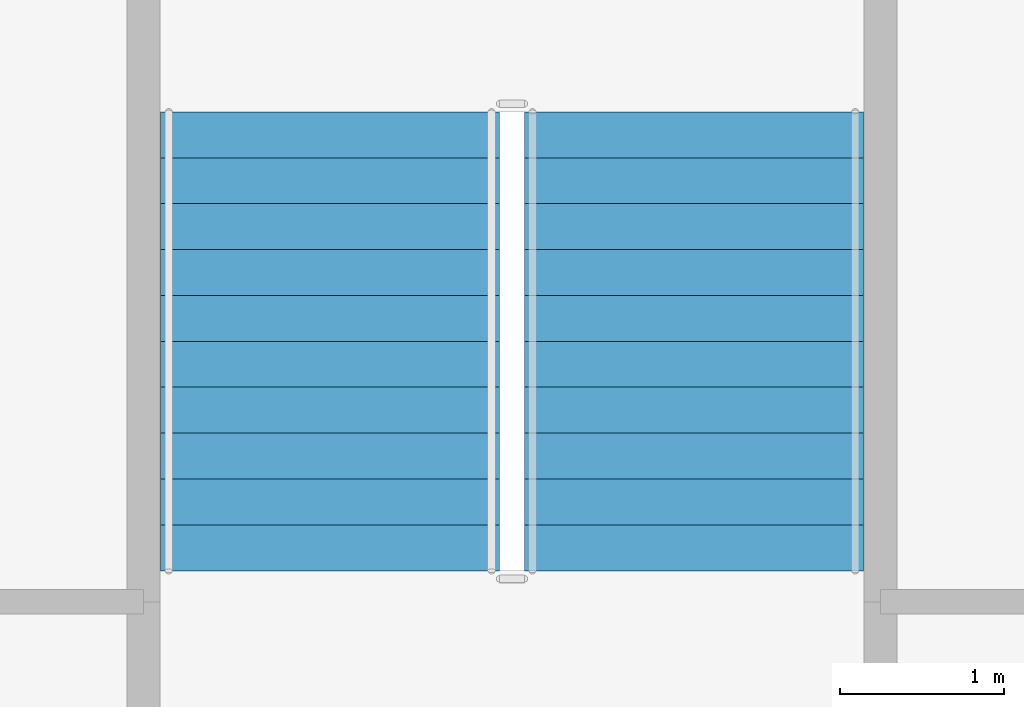
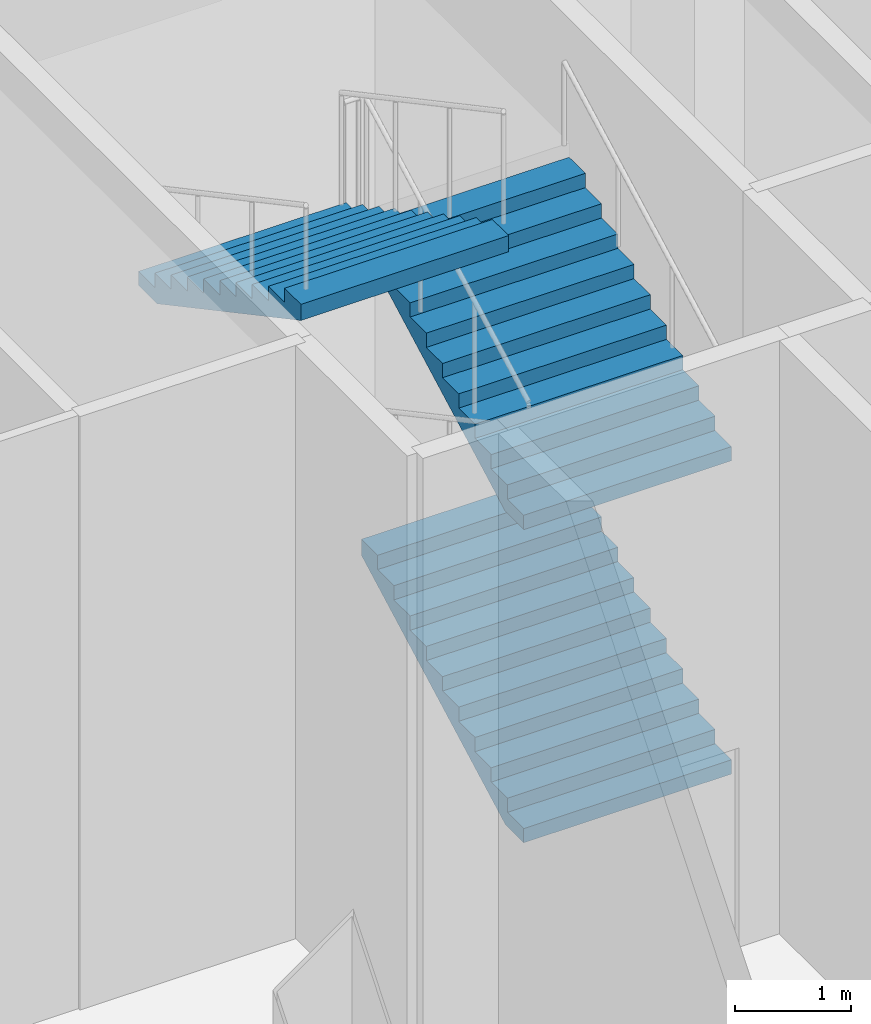
# One storey, part 25 of 38: 3 stair flights, 1 element without a shape of its own.
"""IFC4 building model written with IfcOpenShell, lengths in metres."""

from ifc_helpers import new_model, si_unit, direction, frame, origin, place, context, subcontext, project, spatial, polygons, material, type_object, element, aggregate, save


model = new_model("IFC4")

# Units and contexts
model_context = context("Model", 3, precision=1e-05, world=origin(), true_north=direction((0.0, 1.0)))
body_context = subcontext(model_context, "Body", "Model", "MODEL_VIEW")
ifc_project = project(units=[si_unit("LENGTHUNIT", "METRE"), si_unit("AREAUNIT", "SQUARE_METRE"), si_unit("VOLUMEUNIT", "CUBIC_METRE"), si_unit("PLANEANGLEUNIT", "RADIAN"), si_unit("MASSUNIT", "GRAM", prefix="KILO")], contexts=[model_context])

# Site, building, storey
site_placement = place(None, origin())
site = spatial("IfcSite", under=ifc_project, at=site_placement, CompositionType="ELEMENT")
building_placement = place(site_placement, origin())
building = spatial("IfcBuilding", under=site, at=building_placement, Name="Caravel Reach Hotel and Residences", CompositionType="ELEMENT")
storey_placement = place(building_placement, origin())
storey = spatial("IfcBuildingStorey", under=building, at=storey_placement, Name="L00", CompositionType="ELEMENT", Elevation=0.0)

# Stair, stair flights
ifc_material_1 = material(Name="Concrete C40", Category="concrete")
stair_type = type_object("IfcStairType", Name="Core stair", PredefinedType="HALF_TURN_STAIR", material=ifc_material_1)
stair_placement = place(storey_placement, origin())
stair = element("IfcStair", 1, at=stair_placement, inside=storey, type_object=stair_type, Name="L00 Exit stair P4", PredefinedType="HALF_TURN_STAIR")
ifc_material_2 = material(Name="Concrete C40", Category="concrete")
stair_flight_type = type_object("IfcStairFlightType", Name="Core stair flight", PredefinedType="STRAIGHT", material=ifc_material_2)
stair_flight_1_placement = place(storey_placement, frame((55.110107421875, 13.68994140625, 0.0), z_axis=(0.0, 0.0, 1.0), x_axis=(0.0, 1.0, 0.0)))
stair_flight_1 = element("IfcStairFlight", 2, at=stair_flight_1_placement, type_object=stair_flight_type, Name="ST-P4 flight 1", NumberOfRisers=11, NumberOfTreads=10, PredefinedType="STRAIGHT", RiserHeight=0.15, TreadLength=0.28, context=body_context, shape_type="Tessellation", body=[
    polygons([(0.3174408016601862, 1.0350341796875, 0.0), (0.3174408016601862, 0.6900227864583333, 0.0), (0.3174408016601862, 0.34501139322916663, 0.0), (0.3174408016601862, 0.0, 0.0), (0.3174408016601862, -0.34501139322916674, 0.0), (0.3174408016601862, -0.6900227864583333, 0.0), (0.3174408016601862, -1.0350341796875, 0.0), (2.801, 1.0350341796875, 1.329942427682043), (2.801, 0.6900227864583333, 1.329942427682043), (2.801, 0.34501139322916663, 1.329942427682043), (2.801, 0.0, 1.329942427682043), (2.801, -0.34501139322916674, 1.329942427682043), (2.801, -0.6900227864583333, 1.329942427682043), (2.801, -1.0350341796875, 1.329942427682043), (2.801, 1.0350341796875, 1.5), (2.801, 0.6900227864583333, 1.5), (2.801, 0.34501139322916663, 1.5), (2.801, 0.0, 1.5), (2.801, -0.34501139322916674, 1.5), (2.801, -0.6900227864583333, 1.5), (2.801, -1.0350341796875, 1.5), (2.5200000000000005, 1.0350341796875, 1.5), (2.5200000000000005, 0.6900227864583333, 1.5), (2.5200000000000005, 0.34501139322916663, 1.5), (2.5200000000000005, 0.0, 1.5), (2.5200000000000005, -0.34501139322916674, 1.5), (2.5200000000000005, -0.6900227864583333, 1.5), (2.5200000000000005, -1.0350341796875, 1.5), (2.5200000000000005, 1.0350341796875, 1.3499999999999999), (2.5200000000000005, 0.6900227864583333, 1.3499999999999999), (2.5200000000000005, 0.34501139322916663, 1.3499999999999999), (2.5200000000000005, 0.0, 1.3499999999999999), (2.5200000000000005, -0.34501139322916674, 1.3499999999999999), (2.5200000000000005, -0.6900227864583333, 1.3499999999999999), (2.5200000000000005, -1.0350341796875, 1.3499999999999999), (2.24, 1.0350341796875, 1.3499999999999999), (2.24, 0.6900227864583333, 1.3499999999999999), (2.24, 0.34501139322916663, 1.3499999999999999), (2.24, 0.0, 1.3499999999999999), (2.24, -0.34501139322916674, 1.3499999999999999), (2.24, -0.6900227864583333, 1.3499999999999999), (2.24, -1.0350341796875, 1.3499999999999999), (2.24, 1.0350341796875, 1.2), (2.24, 0.6900227864583333, 1.2), (2.24, 0.34501139322916663, 1.2), (2.24, 0.0, 1.2), (2.24, -0.34501139322916674, 1.2), (2.24, -0.6900227864583333, 1.2), (2.24, -1.0350341796875, 1.2), (1.9600000000000002, 1.0350341796875, 1.2), (1.9600000000000002, 0.6900227864583333, 1.2), (1.9600000000000002, 0.34501139322916663, 1.2), (1.9600000000000002, 0.0, 1.2), (1.9600000000000002, -0.34501139322916674, 1.2), (1.9600000000000002, -0.6900227864583333, 1.2), (1.9600000000000002, -1.0350341796875, 1.2), (1.9600000000000002, 1.0350341796875, 1.05), (1.9600000000000002, 0.6900227864583333, 1.05), (1.9600000000000002, 0.34501139322916663, 1.05), (1.9600000000000002, 0.0, 1.05), (1.9600000000000002, -0.34501139322916674, 1.05), (1.9600000000000002, -0.6900227864583333, 1.05), (1.9600000000000002, -1.0350341796875, 1.05), (1.6800000000000002, 1.0350341796875, 1.05), (1.6800000000000002, 0.6900227864583333, 1.05), (1.6800000000000002, 0.34501139322916663, 1.05), (1.6800000000000002, 0.0, 1.05), (1.6800000000000002, -0.34501139322916674, 1.05), (1.6800000000000002, -0.6900227864583333, 1.05), (1.6800000000000002, -1.0350341796875, 1.05), (1.6800000000000002, 1.0350341796875, 0.8999999999999999), (1.6800000000000002, 0.6900227864583333, 0.8999999999999999), (1.6800000000000002, 0.34501139322916663, 0.8999999999999999), (1.6800000000000002, 0.0, 0.8999999999999999), (1.6800000000000002, -0.34501139322916674, 0.8999999999999999), (1.6800000000000002, -0.6900227864583333, 0.8999999999999999), (1.6800000000000002, -1.0350341796875, 0.8999999999999999), (1.4000000000000001, 1.0350341796875, 0.8999999999999999), (1.4000000000000001, 0.6900227864583333, 0.8999999999999999), (1.4000000000000001, 0.34501139322916663, 0.8999999999999999), (1.4000000000000001, 0.0, 0.8999999999999999), (1.4000000000000001, -0.34501139322916674, 0.8999999999999999), (1.4000000000000001, -0.6900227864583333, 0.8999999999999999), (1.4000000000000001, -1.0350341796875, 0.8999999999999999), (1.4000000000000001, 1.0350341796875, 0.75), (1.4000000000000001, 0.6900227864583333, 0.75), (1.4000000000000001, 0.34501139322916663, 0.75), (1.4000000000000001, 0.0, 0.75), (1.4000000000000001, -0.34501139322916674, 0.75), (1.4000000000000001, -0.6900227864583333, 0.75), (1.4000000000000001, -1.0350341796875, 0.75), (1.12, 1.0350341796875, 0.75), (1.12, 0.6900227864583333, 0.75), (1.12, 0.34501139322916663, 0.75), (1.12, 0.0, 0.75), (1.12, -0.34501139322916674, 0.75), (1.12, -0.6900227864583333, 0.75), (1.12, -1.0350341796875, 0.75), (1.12, 1.0350341796875, 0.6), (1.12, 0.6900227864583333, 0.6), (1.12, 0.34501139322916663, 0.6), (1.12, 0.0, 0.6), (1.12, -0.34501139322916674, 0.6), (1.12, -0.6900227864583333, 0.6), (1.12, -1.0350341796875, 0.6), (0.8400000000000001, 1.0350341796875, 0.6), (0.8400000000000001, 0.6900227864583333, 0.6), (0.8400000000000001, 0.34501139322916663, 0.6), (0.8400000000000001, 0.0, 0.6), (0.8400000000000001, -0.34501139322916674, 0.6), (0.8400000000000001, -0.6900227864583333, 0.6), (0.8400000000000001, -1.0350341796875, 0.6), (0.8400000000000001, 1.0350341796875, 0.44999999999999996), (0.8400000000000001, 0.6900227864583333, 0.44999999999999996), (0.8400000000000001, 0.34501139322916663, 0.44999999999999996), (0.8400000000000001, 0.0, 0.44999999999999996), (0.8400000000000001, -0.34501139322916674, 0.44999999999999996), (0.8400000000000001, -0.6900227864583333, 0.44999999999999996), (0.8400000000000001, -1.0350341796875, 0.44999999999999996), (0.56, 1.0350341796875, 0.44999999999999996), (0.56, 0.6900227864583333, 0.44999999999999996), (0.56, 0.34501139322916663, 0.44999999999999996), (0.56, 0.0, 0.44999999999999996), (0.56, -0.34501139322916674, 0.44999999999999996), (0.56, -0.6900227864583333, 0.44999999999999996), (0.56, -1.0350341796875, 0.44999999999999996), (0.56, 1.0350341796875, 0.3), (0.56, 0.6900227864583333, 0.3), (0.56, 0.34501139322916663, 0.3), (0.56, 0.0, 0.3), (0.56, -0.34501139322916674, 0.3), (0.56, -0.6900227864583333, 0.3), (0.56, -1.0350341796875, 0.3), (0.28, 1.0350341796875, 0.3), (0.28, 0.6900227864583333, 0.3), (0.28, 0.34501139322916663, 0.3), (0.28, 0.0, 0.3), (0.28, -0.34501139322916674, 0.3), (0.28, -0.6900227864583333, 0.3), (0.28, -1.0350341796875, 0.3), (0.28, 1.0350341796875, 0.15), (0.28, 0.6900227864583333, 0.15), (0.28, 0.34501139322916663, 0.15), (0.28, 0.0, 0.15), (0.28, -0.34501139322916674, 0.15), (0.28, -0.6900227864583333, 0.15), (0.28, -1.0350341796875, 0.15), (-0.001, 1.0350341796875, 0.15), (-0.001, 0.6900227864583333, 0.15), (-0.001, 0.34501139322916663, 0.15), (-0.001, 0.0, 0.15), (-0.001, -0.34501139322916674, 0.15), (-0.001, -0.6900227864583333, 0.15), (-0.001, -1.0350341796875, 0.15), (-0.001, 1.0350341796875, 0.0), (-0.001, 0.6900227864583333, 0.0), (-0.001, 0.34501139322916663, 0.0), (-0.001, 0.0, 0.0), (-0.001, -0.34501139322916674, 0.0), (-0.001, -0.6900227864583333, 0.0), (-0.001, -1.0350341796875, 0.0)], [[[155, 148, 141, 134, 127, 120, 113, 106, 99, 92, 85, 78, 71, 64, 57, 50, 43, 36, 29, 22, 15, 8, 1]], [[7, 14, 21, 28, 35, 42, 49, 56, 63, 70, 77, 84, 91, 98, 105, 112, 119, 126, 133, 140, 147, 154, 161]], [[1, 8, 9, 2]], [[2, 9, 10, 3]], [[3, 10, 11, 4]], [[4, 11, 12, 5]], [[5, 12, 13, 6]], [[6, 13, 14, 7]], [[8, 15, 16, 9]], [[9, 16, 17, 10]], [[10, 17, 18, 11]], [[11, 18, 19, 12]], [[12, 19, 20, 13]], [[13, 20, 21, 14]], [[15, 22, 23, 16]], [[16, 23, 24, 17]], [[17, 24, 25, 18]], [[18, 25, 26, 19]], [[19, 26, 27, 20]], [[20, 27, 28, 21]], [[22, 29, 30, 23]], [[23, 30, 31, 24]], [[24, 31, 32, 25]], [[25, 32, 33, 26]], [[26, 33, 34, 27]], [[27, 34, 35, 28]], [[29, 36, 37, 30]], [[30, 37, 38, 31]], [[31, 38, 39, 32]], [[32, 39, 40, 33]], [[33, 40, 41, 34]], [[34, 41, 42, 35]], [[36, 43, 44, 37]], [[37, 44, 45, 38]], [[38, 45, 46, 39]], [[39, 46, 47, 40]], [[40, 47, 48, 41]], [[41, 48, 49, 42]], [[43, 50, 51, 44]], [[44, 51, 52, 45]], [[45, 52, 53, 46]], [[46, 53, 54, 47]], [[47, 54, 55, 48]], [[48, 55, 56, 49]], [[50, 57, 58, 51]], [[51, 58, 59, 52]], [[52, 59, 60, 53]], [[53, 60, 61, 54]], [[54, 61, 62, 55]], [[55, 62, 63, 56]], [[57, 64, 65, 58]], [[58, 65, 66, 59]], [[59, 66, 67, 60]], [[60, 67, 68, 61]], [[61, 68, 69, 62]], [[62, 69, 70, 63]], [[64, 71, 72, 65]], [[65, 72, 73, 66]], [[66, 73, 74, 67]], [[67, 74, 75, 68]], [[68, 75, 76, 69]], [[69, 76, 77, 70]], [[71, 78, 79, 72]], [[72, 79, 80, 73]], [[73, 80, 81, 74]], [[74, 81, 82, 75]], [[75, 82, 83, 76]], [[76, 83, 84, 77]], [[78, 85, 86, 79]], [[79, 86, 87, 80]], [[80, 87, 88, 81]], [[81, 88, 89, 82]], [[82, 89, 90, 83]], [[83, 90, 91, 84]], [[85, 92, 93, 86]], [[86, 93, 94, 87]], [[87, 94, 95, 88]], [[88, 95, 96, 89]], [[89, 96, 97, 90]], [[90, 97, 98, 91]], [[92, 99, 100, 93]], [[93, 100, 101, 94]], [[94, 101, 102, 95]], [[95, 102, 103, 96]], [[96, 103, 104, 97]], [[97, 104, 105, 98]], [[99, 106, 107, 100]], [[100, 107, 108, 101]], [[101, 108, 109, 102]], [[102, 109, 110, 103]], [[103, 110, 111, 104]], [[104, 111, 112, 105]], [[106, 113, 114, 107]], [[107, 114, 115, 108]], [[108, 115, 116, 109]], [[109, 116, 117, 110]], [[110, 117, 118, 111]], [[111, 118, 119, 112]], [[113, 120, 121, 114]], [[114, 121, 122, 115]], [[115, 122, 123, 116]], [[116, 123, 124, 117]], [[117, 124, 125, 118]], [[118, 125, 126, 119]], [[120, 127, 128, 121]], [[121, 128, 129, 122]], [[122, 129, 130, 123]], [[123, 130, 131, 124]], [[124, 131, 132, 125]], [[125, 132, 133, 126]], [[127, 134, 135, 128]], [[128, 135, 136, 129]], [[129, 136, 137, 130]], [[130, 137, 138, 131]], [[131, 138, 139, 132]], [[132, 139, 140, 133]], [[134, 141, 142, 135]], [[135, 142, 143, 136]], [[136, 143, 144, 137]], [[137, 144, 145, 138]], [[138, 145, 146, 139]], [[139, 146, 147, 140]], [[141, 148, 149, 142]], [[142, 149, 150, 143]], [[143, 150, 151, 144]], [[144, 151, 152, 145]], [[145, 152, 153, 146]], [[146, 153, 154, 147]], [[148, 155, 156, 149]], [[149, 156, 157, 150]], [[150, 157, 158, 151]], [[151, 158, 159, 152]], [[152, 159, 160, 153]], [[153, 160, 161, 154]], [[155, 1, 2, 156]], [[156, 2, 3, 157]], [[157, 3, 4, 158]], [[158, 4, 5, 159]], [[159, 5, 6, 160]], [[160, 6, 7, 161]]], closed=True),
])
stair_flight_2_placement = place(storey_placement, frame((55.110107421875, 13.68994140625, 3.300048828125), z_axis=(0.0, 0.0, 1.0), x_axis=(0.0, 1.0, 0.0)))
stair_flight_2 = element("IfcStairFlight", 3, at=stair_flight_2_placement, type_object=stair_flight_type, Name="ST-P4 flight 3", NumberOfRisers=11, NumberOfTreads=10, PredefinedType="STRAIGHT", RiserHeight=0.15, TreadLength=0.28, context=body_context, shape_type="Tessellation", body=[
    polygons([(0.3174408016601862, 1.0350341796875, 0.0), (0.3174408016601862, 0.6900227864583333, 0.0), (0.3174408016601862, 0.34501139322916663, 0.0), (0.3174408016601862, 0.0, 0.0), (0.3174408016601862, -0.34501139322916674, 0.0), (0.3174408016601862, -0.6900227864583333, 0.0), (0.3174408016601862, -1.0350341796875, 0.0), (2.801, 1.0350341796875, 1.329942427682043), (2.801, 0.6900227864583333, 1.329942427682043), (2.801, 0.34501139322916663, 1.329942427682043), (2.801, 0.0, 1.329942427682043), (2.801, -0.34501139322916674, 1.329942427682043), (2.801, -0.6900227864583333, 1.329942427682043), (2.801, -1.0350341796875, 1.329942427682043), (2.801, 1.0350341796875, 1.5), (2.801, 0.6900227864583333, 1.5), (2.801, 0.34501139322916663, 1.5), (2.801, 0.0, 1.5), (2.801, -0.34501139322916674, 1.5), (2.801, -0.6900227864583333, 1.5), (2.801, -1.0350341796875, 1.5), (2.5200000000000005, 1.0350341796875, 1.5), (2.5200000000000005, 0.6900227864583333, 1.5), (2.5200000000000005, 0.34501139322916663, 1.5), (2.5200000000000005, 0.0, 1.5), (2.5200000000000005, -0.34501139322916674, 1.5), (2.5200000000000005, -0.6900227864583333, 1.5), (2.5200000000000005, -1.0350341796875, 1.5), (2.5200000000000005, 1.0350341796875, 1.3499999999999999), (2.5200000000000005, 0.6900227864583333, 1.3499999999999999), (2.5200000000000005, 0.34501139322916663, 1.3499999999999999), (2.5200000000000005, 0.0, 1.3499999999999999), (2.5200000000000005, -0.34501139322916674, 1.3499999999999999), (2.5200000000000005, -0.6900227864583333, 1.3499999999999999), (2.5200000000000005, -1.0350341796875, 1.3499999999999999), (2.24, 1.0350341796875, 1.3499999999999999), (2.24, 0.6900227864583333, 1.3499999999999999), (2.24, 0.34501139322916663, 1.3499999999999999), (2.24, 0.0, 1.3499999999999999), (2.24, -0.34501139322916674, 1.3499999999999999), (2.24, -0.6900227864583333, 1.3499999999999999), (2.24, -1.0350341796875, 1.3499999999999999), (2.24, 1.0350341796875, 1.2), (2.24, 0.6900227864583333, 1.2), (2.24, 0.34501139322916663, 1.2), (2.24, 0.0, 1.2), (2.24, -0.34501139322916674, 1.2), (2.24, -0.6900227864583333, 1.2), (2.24, -1.0350341796875, 1.2), (1.9600000000000002, 1.0350341796875, 1.2), (1.9600000000000002, 0.6900227864583333, 1.2), (1.9600000000000002, 0.34501139322916663, 1.2), (1.9600000000000002, 0.0, 1.2), (1.9600000000000002, -0.34501139322916674, 1.2), (1.9600000000000002, -0.6900227864583333, 1.2), (1.9600000000000002, -1.0350341796875, 1.2), (1.9600000000000002, 1.0350341796875, 1.05), (1.9600000000000002, 0.6900227864583333, 1.05), (1.9600000000000002, 0.34501139322916663, 1.05), (1.9600000000000002, 0.0, 1.05), (1.9600000000000002, -0.34501139322916674, 1.05), (1.9600000000000002, -0.6900227864583333, 1.05), (1.9600000000000002, -1.0350341796875, 1.05), (1.6800000000000002, 1.0350341796875, 1.05), (1.6800000000000002, 0.6900227864583333, 1.05), (1.6800000000000002, 0.34501139322916663, 1.05), (1.6800000000000002, 0.0, 1.05), (1.6800000000000002, -0.34501139322916674, 1.05), (1.6800000000000002, -0.6900227864583333, 1.05), (1.6800000000000002, -1.0350341796875, 1.05), (1.6800000000000002, 1.0350341796875, 0.8999999999999999), (1.6800000000000002, 0.6900227864583333, 0.8999999999999999), (1.6800000000000002, 0.34501139322916663, 0.8999999999999999), (1.6800000000000002, 0.0, 0.8999999999999999), (1.6800000000000002, -0.34501139322916674, 0.8999999999999999), (1.6800000000000002, -0.6900227864583333, 0.8999999999999999), (1.6800000000000002, -1.0350341796875, 0.8999999999999999), (1.4000000000000001, 1.0350341796875, 0.8999999999999999), (1.4000000000000001, 0.6900227864583333, 0.8999999999999999), (1.4000000000000001, 0.34501139322916663, 0.8999999999999999), (1.4000000000000001, 0.0, 0.8999999999999999), (1.4000000000000001, -0.34501139322916674, 0.8999999999999999), (1.4000000000000001, -0.6900227864583333, 0.8999999999999999), (1.4000000000000001, -1.0350341796875, 0.8999999999999999), (1.4000000000000001, 1.0350341796875, 0.75), (1.4000000000000001, 0.6900227864583333, 0.75), (1.4000000000000001, 0.34501139322916663, 0.75), (1.4000000000000001, 0.0, 0.75), (1.4000000000000001, -0.34501139322916674, 0.75), (1.4000000000000001, -0.6900227864583333, 0.75), (1.4000000000000001, -1.0350341796875, 0.75), (1.12, 1.0350341796875, 0.75), (1.12, 0.6900227864583333, 0.75), (1.12, 0.34501139322916663, 0.75), (1.12, 0.0, 0.75), (1.12, -0.34501139322916674, 0.75), (1.12, -0.6900227864583333, 0.75), (1.12, -1.0350341796875, 0.75), (1.12, 1.0350341796875, 0.6), (1.12, 0.6900227864583333, 0.6), (1.12, 0.34501139322916663, 0.6), (1.12, 0.0, 0.6), (1.12, -0.34501139322916674, 0.6), (1.12, -0.6900227864583333, 0.6), (1.12, -1.0350341796875, 0.6), (0.8400000000000001, 1.0350341796875, 0.6), (0.8400000000000001, 0.6900227864583333, 0.6), (0.8400000000000001, 0.34501139322916663, 0.6), (0.8400000000000001, 0.0, 0.6), (0.8400000000000001, -0.34501139322916674, 0.6), (0.8400000000000001, -0.6900227864583333, 0.6), (0.8400000000000001, -1.0350341796875, 0.6), (0.8400000000000001, 1.0350341796875, 0.44999999999999996), (0.8400000000000001, 0.6900227864583333, 0.44999999999999996), (0.8400000000000001, 0.34501139322916663, 0.44999999999999996), (0.8400000000000001, 0.0, 0.44999999999999996), (0.8400000000000001, -0.34501139322916674, 0.44999999999999996), (0.8400000000000001, -0.6900227864583333, 0.44999999999999996), (0.8400000000000001, -1.0350341796875, 0.44999999999999996), (0.56, 1.0350341796875, 0.44999999999999996), (0.56, 0.6900227864583333, 0.44999999999999996), (0.56, 0.34501139322916663, 0.44999999999999996), (0.56, 0.0, 0.44999999999999996), (0.56, -0.34501139322916674, 0.44999999999999996), (0.56, -0.6900227864583333, 0.44999999999999996), (0.56, -1.0350341796875, 0.44999999999999996), (0.56, 1.0350341796875, 0.3), (0.56, 0.6900227864583333, 0.3), (0.56, 0.34501139322916663, 0.3), (0.56, 0.0, 0.3), (0.56, -0.34501139322916674, 0.3), (0.56, -0.6900227864583333, 0.3), (0.56, -1.0350341796875, 0.3), (0.28, 1.0350341796875, 0.3), (0.28, 0.6900227864583333, 0.3), (0.28, 0.34501139322916663, 0.3), (0.28, 0.0, 0.3), (0.28, -0.34501139322916674, 0.3), (0.28, -0.6900227864583333, 0.3), (0.28, -1.0350341796875, 0.3), (0.28, 1.0350341796875, 0.15), (0.28, 0.6900227864583333, 0.15), (0.28, 0.34501139322916663, 0.15), (0.28, 0.0, 0.15), (0.28, -0.34501139322916674, 0.15), (0.28, -0.6900227864583333, 0.15), (0.28, -1.0350341796875, 0.15), (-0.001, 1.0350341796875, 0.15), (-0.001, 0.6900227864583333, 0.15), (-0.001, 0.34501139322916663, 0.15), (-0.001, 0.0, 0.15), (-0.001, -0.34501139322916674, 0.15), (-0.001, -0.6900227864583333, 0.15), (-0.001, -1.0350341796875, 0.15), (-0.001, 1.0350341796875, 0.0), (-0.001, 0.6900227864583333, 0.0), (-0.001, 0.34501139322916663, 0.0), (-0.001, 0.0, 0.0), (-0.001, -0.34501139322916674, 0.0), (-0.001, -0.6900227864583333, 0.0), (-0.001, -1.0350341796875, 0.0)], [[[155, 148, 141, 134, 127, 120, 113, 106, 99, 92, 85, 78, 71, 64, 57, 50, 43, 36, 29, 22, 15, 8, 1]], [[7, 14, 21, 28, 35, 42, 49, 56, 63, 70, 77, 84, 91, 98, 105, 112, 119, 126, 133, 140, 147, 154, 161]], [[1, 8, 9, 2]], [[2, 9, 10, 3]], [[3, 10, 11, 4]], [[4, 11, 12, 5]], [[5, 12, 13, 6]], [[6, 13, 14, 7]], [[8, 15, 16, 9]], [[9, 16, 17, 10]], [[10, 17, 18, 11]], [[11, 18, 19, 12]], [[12, 19, 20, 13]], [[13, 20, 21, 14]], [[15, 22, 23, 16]], [[16, 23, 24, 17]], [[17, 24, 25, 18]], [[18, 25, 26, 19]], [[19, 26, 27, 20]], [[20, 27, 28, 21]], [[22, 29, 30, 23]], [[23, 30, 31, 24]], [[24, 31, 32, 25]], [[25, 32, 33, 26]], [[26, 33, 34, 27]], [[27, 34, 35, 28]], [[29, 36, 37, 30]], [[30, 37, 38, 31]], [[31, 38, 39, 32]], [[32, 39, 40, 33]], [[33, 40, 41, 34]], [[34, 41, 42, 35]], [[36, 43, 44, 37]], [[37, 44, 45, 38]], [[38, 45, 46, 39]], [[39, 46, 47, 40]], [[40, 47, 48, 41]], [[41, 48, 49, 42]], [[43, 50, 51, 44]], [[44, 51, 52, 45]], [[45, 52, 53, 46]], [[46, 53, 54, 47]], [[47, 54, 55, 48]], [[48, 55, 56, 49]], [[50, 57, 58, 51]], [[51, 58, 59, 52]], [[52, 59, 60, 53]], [[53, 60, 61, 54]], [[54, 61, 62, 55]], [[55, 62, 63, 56]], [[57, 64, 65, 58]], [[58, 65, 66, 59]], [[59, 66, 67, 60]], [[60, 67, 68, 61]], [[61, 68, 69, 62]], [[62, 69, 70, 63]], [[64, 71, 72, 65]], [[65, 72, 73, 66]], [[66, 73, 74, 67]], [[67, 74, 75, 68]], [[68, 75, 76, 69]], [[69, 76, 77, 70]], [[71, 78, 79, 72]], [[72, 79, 80, 73]], [[73, 80, 81, 74]], [[74, 81, 82, 75]], [[75, 82, 83, 76]], [[76, 83, 84, 77]], [[78, 85, 86, 79]], [[79, 86, 87, 80]], [[80, 87, 88, 81]], [[81, 88, 89, 82]], [[82, 89, 90, 83]], [[83, 90, 91, 84]], [[85, 92, 93, 86]], [[86, 93, 94, 87]], [[87, 94, 95, 88]], [[88, 95, 96, 89]], [[89, 96, 97, 90]], [[90, 97, 98, 91]], [[92, 99, 100, 93]], [[93, 100, 101, 94]], [[94, 101, 102, 95]], [[95, 102, 103, 96]], [[96, 103, 104, 97]], [[97, 104, 105, 98]], [[99, 106, 107, 100]], [[100, 107, 108, 101]], [[101, 108, 109, 102]], [[102, 109, 110, 103]], [[103, 110, 111, 104]], [[104, 111, 112, 105]], [[106, 113, 114, 107]], [[107, 114, 115, 108]], [[108, 115, 116, 109]], [[109, 116, 117, 110]], [[110, 117, 118, 111]], [[111, 118, 119, 112]], [[113, 120, 121, 114]], [[114, 121, 122, 115]], [[115, 122, 123, 116]], [[116, 123, 124, 117]], [[117, 124, 125, 118]], [[118, 125, 126, 119]], [[120, 127, 128, 121]], [[121, 128, 129, 122]], [[122, 129, 130, 123]], [[123, 130, 131, 124]], [[124, 131, 132, 125]], [[125, 132, 133, 126]], [[127, 134, 135, 128]], [[128, 135, 136, 129]], [[129, 136, 137, 130]], [[130, 137, 138, 131]], [[131, 138, 139, 132]], [[132, 139, 140, 133]], [[134, 141, 142, 135]], [[135, 142, 143, 136]], [[136, 143, 144, 137]], [[137, 144, 145, 138]], [[138, 145, 146, 139]], [[139, 146, 147, 140]], [[141, 148, 149, 142]], [[142, 149, 150, 143]], [[143, 150, 151, 144]], [[144, 151, 152, 145]], [[145, 152, 153, 146]], [[146, 153, 154, 147]], [[148, 155, 156, 149]], [[149, 156, 157, 150]], [[150, 157, 158, 151]], [[151, 158, 159, 152]], [[152, 159, 160, 153]], [[153, 160, 161, 154]], [[155, 1, 2, 156]], [[156, 2, 3, 157]], [[157, 3, 4, 158]], [[158, 4, 5, 159]], [[159, 5, 6, 160]], [[160, 6, 7, 161]]], closed=True),
])
stair_flight_3_placement = place(storey_placement, frame((52.889892578125, 16.489990234375, 4.949951171875), z_axis=(0.0, 0.0, 1.0), x_axis=(0.0, -1.0, 0.0)))
stair_flight_3 = element("IfcStairFlight", 4, at=stair_flight_3_placement, type_object=stair_flight_type, Name="ST-P4 flight 4", NumberOfRisers=11, NumberOfTreads=10, PredefinedType="STRAIGHT", RiserHeight=0.15, TreadLength=0.28, context=body_context, shape_type="Tessellation", body=[
    polygons([(0.3174408016601862, 1.0350341796875, 0.0), (0.3174408016601862, 0.6900227864583333, 0.0), (0.3174408016601862, 0.34501139322916663, 0.0), (0.3174408016601862, 0.0, 0.0), (0.3174408016601862, -0.34501139322916674, 0.0), (0.3174408016601862, -0.6900227864583333, 0.0), (0.3174408016601862, -1.0350341796875, 0.0), (2.801, 1.0350341796875, 1.329942427682043), (2.801, 0.6900227864583333, 1.329942427682043), (2.801, 0.34501139322916663, 1.329942427682043), (2.801, 0.0, 1.329942427682043), (2.801, -0.34501139322916674, 1.329942427682043), (2.801, -0.6900227864583333, 1.329942427682043), (2.801, -1.0350341796875, 1.329942427682043), (2.801, 1.0350341796875, 1.5), (2.801, 0.6900227864583333, 1.5), (2.801, 0.34501139322916663, 1.5), (2.801, 0.0, 1.5), (2.801, -0.34501139322916674, 1.5), (2.801, -0.6900227864583333, 1.5), (2.801, -1.0350341796875, 1.5), (2.5200000000000005, 1.0350341796875, 1.5), (2.5200000000000005, 0.6900227864583333, 1.5), (2.5200000000000005, 0.34501139322916663, 1.5), (2.5200000000000005, 0.0, 1.5), (2.5200000000000005, -0.34501139322916674, 1.5), (2.5200000000000005, -0.6900227864583333, 1.5), (2.5200000000000005, -1.0350341796875, 1.5), (2.5200000000000005, 1.0350341796875, 1.3499999999999999), (2.5200000000000005, 0.6900227864583333, 1.3499999999999999), (2.5200000000000005, 0.34501139322916663, 1.3499999999999999), (2.5200000000000005, 0.0, 1.3499999999999999), (2.5200000000000005, -0.34501139322916674, 1.3499999999999999), (2.5200000000000005, -0.6900227864583333, 1.3499999999999999), (2.5200000000000005, -1.0350341796875, 1.3499999999999999), (2.24, 1.0350341796875, 1.3499999999999999), (2.24, 0.6900227864583333, 1.3499999999999999), (2.24, 0.34501139322916663, 1.3499999999999999), (2.24, 0.0, 1.3499999999999999), (2.24, -0.34501139322916674, 1.3499999999999999), (2.24, -0.6900227864583333, 1.3499999999999999), (2.24, -1.0350341796875, 1.3499999999999999), (2.24, 1.0350341796875, 1.2), (2.24, 0.6900227864583333, 1.2), (2.24, 0.34501139322916663, 1.2), (2.24, 0.0, 1.2), (2.24, -0.34501139322916674, 1.2), (2.24, -0.6900227864583333, 1.2), (2.24, -1.0350341796875, 1.2), (1.9600000000000002, 1.0350341796875, 1.2), (1.9600000000000002, 0.6900227864583333, 1.2), (1.9600000000000002, 0.34501139322916663, 1.2), (1.9600000000000002, 0.0, 1.2), (1.9600000000000002, -0.34501139322916674, 1.2), (1.9600000000000002, -0.6900227864583333, 1.2), (1.9600000000000002, -1.0350341796875, 1.2), (1.9600000000000002, 1.0350341796875, 1.05), (1.9600000000000002, 0.6900227864583333, 1.05), (1.9600000000000002, 0.34501139322916663, 1.05), (1.9600000000000002, 0.0, 1.05), (1.9600000000000002, -0.34501139322916674, 1.05), (1.9600000000000002, -0.6900227864583333, 1.05), (1.9600000000000002, -1.0350341796875, 1.05), (1.6800000000000002, 1.0350341796875, 1.05), (1.6800000000000002, 0.6900227864583333, 1.05), (1.6800000000000002, 0.34501139322916663, 1.05), (1.6800000000000002, 0.0, 1.05), (1.6800000000000002, -0.34501139322916674, 1.05), (1.6800000000000002, -0.6900227864583333, 1.05), (1.6800000000000002, -1.0350341796875, 1.05), (1.6800000000000002, 1.0350341796875, 0.8999999999999999), (1.6800000000000002, 0.6900227864583333, 0.8999999999999999), (1.6800000000000002, 0.34501139322916663, 0.8999999999999999), (1.6800000000000002, 0.0, 0.8999999999999999), (1.6800000000000002, -0.34501139322916674, 0.8999999999999999), (1.6800000000000002, -0.6900227864583333, 0.8999999999999999), (1.6800000000000002, -1.0350341796875, 0.8999999999999999), (1.4000000000000001, 1.0350341796875, 0.8999999999999999), (1.4000000000000001, 0.6900227864583333, 0.8999999999999999), (1.4000000000000001, 0.34501139322916663, 0.8999999999999999), (1.4000000000000001, 0.0, 0.8999999999999999), (1.4000000000000001, -0.34501139322916674, 0.8999999999999999), (1.4000000000000001, -0.6900227864583333, 0.8999999999999999), (1.4000000000000001, -1.0350341796875, 0.8999999999999999), (1.4000000000000001, 1.0350341796875, 0.75), (1.4000000000000001, 0.6900227864583333, 0.75), (1.4000000000000001, 0.34501139322916663, 0.75), (1.4000000000000001, 0.0, 0.75), (1.4000000000000001, -0.34501139322916674, 0.75), (1.4000000000000001, -0.6900227864583333, 0.75), (1.4000000000000001, -1.0350341796875, 0.75), (1.12, 1.0350341796875, 0.75), (1.12, 0.6900227864583333, 0.75), (1.12, 0.34501139322916663, 0.75), (1.12, 0.0, 0.75), (1.12, -0.34501139322916674, 0.75), (1.12, -0.6900227864583333, 0.75), (1.12, -1.0350341796875, 0.75), (1.12, 1.0350341796875, 0.6), (1.12, 0.6900227864583333, 0.6), (1.12, 0.34501139322916663, 0.6), (1.12, 0.0, 0.6), (1.12, -0.34501139322916674, 0.6), (1.12, -0.6900227864583333, 0.6), (1.12, -1.0350341796875, 0.6), (0.8400000000000001, 1.0350341796875, 0.6), (0.8400000000000001, 0.6900227864583333, 0.6), (0.8400000000000001, 0.34501139322916663, 0.6), (0.8400000000000001, 0.0, 0.6), (0.8400000000000001, -0.34501139322916674, 0.6), (0.8400000000000001, -0.6900227864583333, 0.6), (0.8400000000000001, -1.0350341796875, 0.6), (0.8400000000000001, 1.0350341796875, 0.44999999999999996), (0.8400000000000001, 0.6900227864583333, 0.44999999999999996), (0.8400000000000001, 0.34501139322916663, 0.44999999999999996), (0.8400000000000001, 0.0, 0.44999999999999996), (0.8400000000000001, -0.34501139322916674, 0.44999999999999996), (0.8400000000000001, -0.6900227864583333, 0.44999999999999996), (0.8400000000000001, -1.0350341796875, 0.44999999999999996), (0.56, 1.0350341796875, 0.44999999999999996), (0.56, 0.6900227864583333, 0.44999999999999996), (0.56, 0.34501139322916663, 0.44999999999999996), (0.56, 0.0, 0.44999999999999996), (0.56, -0.34501139322916674, 0.44999999999999996), (0.56, -0.6900227864583333, 0.44999999999999996), (0.56, -1.0350341796875, 0.44999999999999996), (0.56, 1.0350341796875, 0.3), (0.56, 0.6900227864583333, 0.3), (0.56, 0.34501139322916663, 0.3), (0.56, 0.0, 0.3), (0.56, -0.34501139322916674, 0.3), (0.56, -0.6900227864583333, 0.3), (0.56, -1.0350341796875, 0.3), (0.28, 1.0350341796875, 0.3), (0.28, 0.6900227864583333, 0.3), (0.28, 0.34501139322916663, 0.3), (0.28, 0.0, 0.3), (0.28, -0.34501139322916674, 0.3), (0.28, -0.6900227864583333, 0.3), (0.28, -1.0350341796875, 0.3), (0.28, 1.0350341796875, 0.15), (0.28, 0.6900227864583333, 0.15), (0.28, 0.34501139322916663, 0.15), (0.28, 0.0, 0.15), (0.28, -0.34501139322916674, 0.15), (0.28, -0.6900227864583333, 0.15), (0.28, -1.0350341796875, 0.15), (-0.001, 1.0350341796875, 0.15), (-0.001, 0.6900227864583333, 0.15), (-0.001, 0.34501139322916663, 0.15), (-0.001, 0.0, 0.15), (-0.001, -0.34501139322916674, 0.15), (-0.001, -0.6900227864583333, 0.15), (-0.001, -1.0350341796875, 0.15), (-0.001, 1.0350341796875, 0.0), (-0.001, 0.6900227864583333, 0.0), (-0.001, 0.34501139322916663, 0.0), (-0.001, 0.0, 0.0), (-0.001, -0.34501139322916674, 0.0), (-0.001, -0.6900227864583333, 0.0), (-0.001, -1.0350341796875, 0.0)], [[[155, 148, 141, 134, 127, 120, 113, 106, 99, 92, 85, 78, 71, 64, 57, 50, 43, 36, 29, 22, 15, 8, 1]], [[7, 14, 21, 28, 35, 42, 49, 56, 63, 70, 77, 84, 91, 98, 105, 112, 119, 126, 133, 140, 147, 154, 161]], [[1, 8, 9, 2]], [[2, 9, 10, 3]], [[3, 10, 11, 4]], [[4, 11, 12, 5]], [[5, 12, 13, 6]], [[6, 13, 14, 7]], [[8, 15, 16, 9]], [[9, 16, 17, 10]], [[10, 17, 18, 11]], [[11, 18, 19, 12]], [[12, 19, 20, 13]], [[13, 20, 21, 14]], [[15, 22, 23, 16]], [[16, 23, 24, 17]], [[17, 24, 25, 18]], [[18, 25, 26, 19]], [[19, 26, 27, 20]], [[20, 27, 28, 21]], [[22, 29, 30, 23]], [[23, 30, 31, 24]], [[24, 31, 32, 25]], [[25, 32, 33, 26]], [[26, 33, 34, 27]], [[27, 34, 35, 28]], [[29, 36, 37, 30]], [[30, 37, 38, 31]], [[31, 38, 39, 32]], [[32, 39, 40, 33]], [[33, 40, 41, 34]], [[34, 41, 42, 35]], [[36, 43, 44, 37]], [[37, 44, 45, 38]], [[38, 45, 46, 39]], [[39, 46, 47, 40]], [[40, 47, 48, 41]], [[41, 48, 49, 42]], [[43, 50, 51, 44]], [[44, 51, 52, 45]], [[45, 52, 53, 46]], [[46, 53, 54, 47]], [[47, 54, 55, 48]], [[48, 55, 56, 49]], [[50, 57, 58, 51]], [[51, 58, 59, 52]], [[52, 59, 60, 53]], [[53, 60, 61, 54]], [[54, 61, 62, 55]], [[55, 62, 63, 56]], [[57, 64, 65, 58]], [[58, 65, 66, 59]], [[59, 66, 67, 60]], [[60, 67, 68, 61]], [[61, 68, 69, 62]], [[62, 69, 70, 63]], [[64, 71, 72, 65]], [[65, 72, 73, 66]], [[66, 73, 74, 67]], [[67, 74, 75, 68]], [[68, 75, 76, 69]], [[69, 76, 77, 70]], [[71, 78, 79, 72]], [[72, 79, 80, 73]], [[73, 80, 81, 74]], [[74, 81, 82, 75]], [[75, 82, 83, 76]], [[76, 83, 84, 77]], [[78, 85, 86, 79]], [[79, 86, 87, 80]], [[80, 87, 88, 81]], [[81, 88, 89, 82]], [[82, 89, 90, 83]], [[83, 90, 91, 84]], [[85, 92, 93, 86]], [[86, 93, 94, 87]], [[87, 94, 95, 88]], [[88, 95, 96, 89]], [[89, 96, 97, 90]], [[90, 97, 98, 91]], [[92, 99, 100, 93]], [[93, 100, 101, 94]], [[94, 101, 102, 95]], [[95, 102, 103, 96]], [[96, 103, 104, 97]], [[97, 104, 105, 98]], [[99, 106, 107, 100]], [[100, 107, 108, 101]], [[101, 108, 109, 102]], [[102, 109, 110, 103]], [[103, 110, 111, 104]], [[104, 111, 112, 105]], [[106, 113, 114, 107]], [[107, 114, 115, 108]], [[108, 115, 116, 109]], [[109, 116, 117, 110]], [[110, 117, 118, 111]], [[111, 118, 119, 112]], [[113, 120, 121, 114]], [[114, 121, 122, 115]], [[115, 122, 123, 116]], [[116, 123, 124, 117]], [[117, 124, 125, 118]], [[118, 125, 126, 119]], [[120, 127, 128, 121]], [[121, 128, 129, 122]], [[122, 129, 130, 123]], [[123, 130, 131, 124]], [[124, 131, 132, 125]], [[125, 132, 133, 126]], [[127, 134, 135, 128]], [[128, 135, 136, 129]], [[129, 136, 137, 130]], [[130, 137, 138, 131]], [[131, 138, 139, 132]], [[132, 139, 140, 133]], [[134, 141, 142, 135]], [[135, 142, 143, 136]], [[136, 143, 144, 137]], [[137, 144, 145, 138]], [[138, 145, 146, 139]], [[139, 146, 147, 140]], [[141, 148, 149, 142]], [[142, 149, 150, 143]], [[143, 150, 151, 144]], [[144, 151, 152, 145]], [[145, 152, 153, 146]], [[146, 153, 154, 147]], [[148, 155, 156, 149]], [[149, 156, 157, 150]], [[150, 157, 158, 151]], [[151, 158, 159, 152]], [[152, 159, 160, 153]], [[153, 160, 161, 154]], [[155, 1, 2, 156]], [[156, 2, 3, 157]], [[157, 3, 4, 158]], [[158, 4, 5, 159]], [[159, 5, 6, 160]], [[160, 6, 7, 161]]], closed=True),
])
aggregate(stair, [stair_flight_1, stair_flight_2, stair_flight_3])

save(model, "model.ifc")
